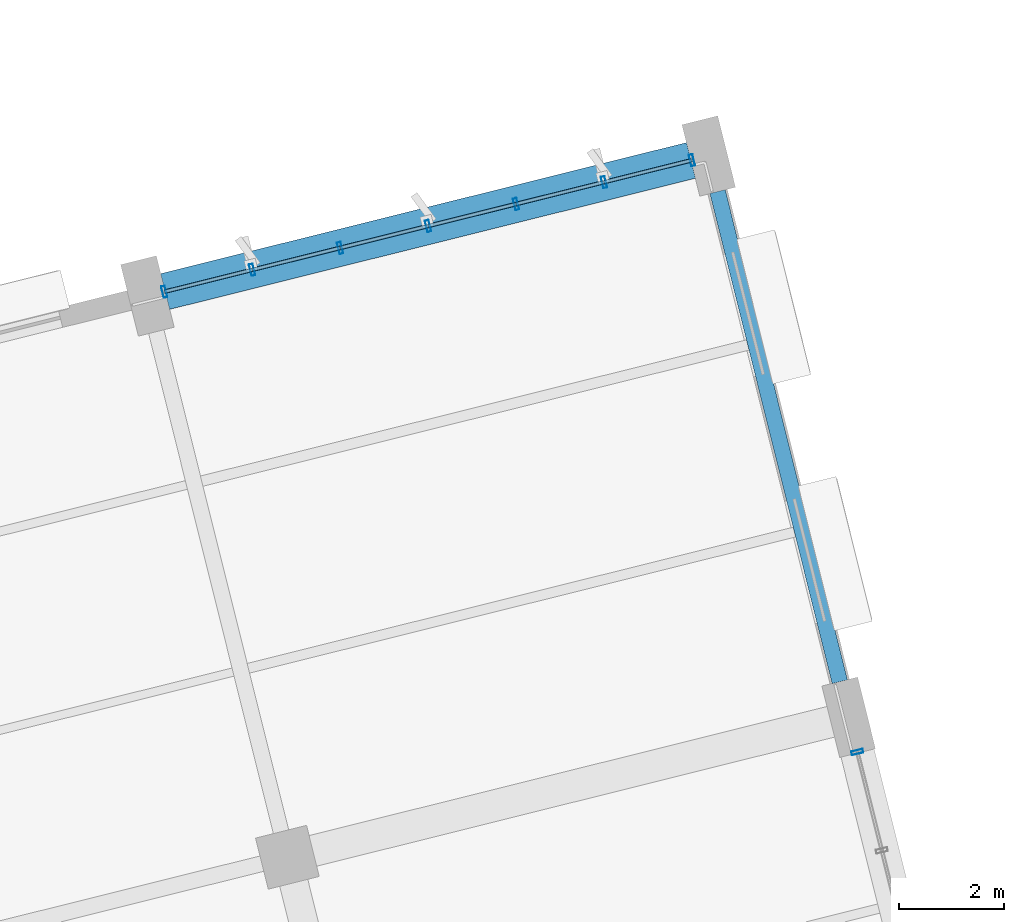
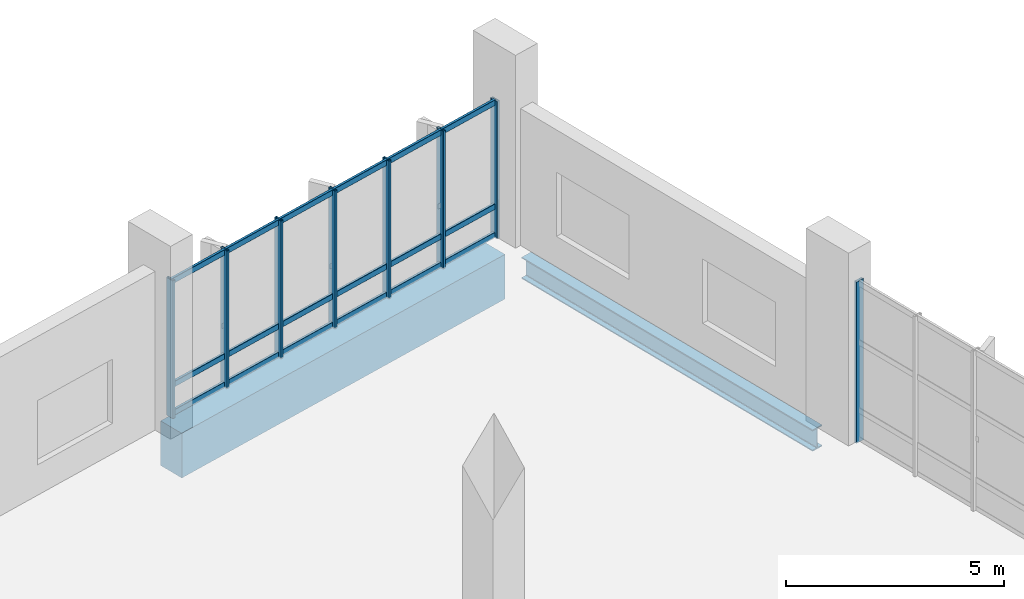
# One storey, part 98 of 176: 26 members, 2 beams, 2 elements without a shape of their own.
"""IFC4 building model written with IfcOpenShell, lengths in metres."""

from ifc_helpers import new_model, si_unit, direction, frame, origin, origin_2d, place, context, subcontext, project, spatial, rectangle, hollow_rectangle, i_section, extrude, material, layer, layer_set, material_profile, profile_set, type_object, element, aggregate, save


model = new_model("IFC4")

# Units and contexts
model_context = context("Model", 3, precision=1e-05, world=origin(), true_north=direction((0.0, 1.0)))
body_context = subcontext(model_context, "Body", "Model", "MODEL_VIEW")
ifc_project = project(units=[si_unit("LENGTHUNIT", "METRE"), si_unit("AREAUNIT", "SQUARE_METRE"), si_unit("VOLUMEUNIT", "CUBIC_METRE"), si_unit("PLANEANGLEUNIT", "RADIAN"), si_unit("MASSUNIT", "GRAM", prefix="KILO")], contexts=[model_context])

# Site, building, storey
site_placement = place(None, origin())
site = spatial("IfcSite", under=ifc_project, at=site_placement, CompositionType="ELEMENT")
building_placement = place(site_placement, origin())
building = spatial("IfcBuilding", under=site, at=building_placement, Name="Khorjan Park Terminus", CompositionType="ELEMENT")
storey_placement = place(building_placement, frame((0.0, 0.0, 6.0)))
storey = spatial("IfcBuildingStorey", under=building, at=storey_placement, Name="L01", CompositionType="ELEMENT", Elevation=6.0)

# Beams
ifc_material_1 = material(Name="Steel S355", Category="steel")
ifc_material_profile_1 = material_profile(ifc_material_1, i_section(OverallWidth=0.3, OverallDepth=0.6, WebThickness=0.0155, FlangeThickness=0.03, FilletRadius=0.027, at=origin_2d()), Name="HEB 600")
ifc_profile_set_1 = profile_set([ifc_material_profile_1], Name="Steel S355")
beam_type_1 = type_object("IfcBeamType", Name="BM-HEB600", PredefinedType="BEAM", material=ifc_profile_set_1)
beam_1_placement = place(storey_placement, frame((216.5657, 72.0075, -0.65), z_axis=(-0.241925915978, 0.970294723874, 0.0), x_axis=(-0.970294723874, -0.241925915978, 0.0)))
element("IfcBeam", 1, at=beam_1_placement, inside=storey, type_object=beam_type_1, Name="Primary skew-grid floor girder SB-B60 (L01)", PredefinedType="BEAM", context=body_context, shape_type="SweptSolid", body=[
    extrude(i_section(OverallWidth=0.3, OverallDepth=0.6, WebThickness=0.0155, FlangeThickness=0.03, FilletRadius=0.027, at=origin_2d()), origin(), (0.0, 0.0, 1.0), 9.61),
])
ifc_material_2 = material(Name="Concrete C40/50", Category="concrete")
ifc_material_profile_2 = material_profile(ifc_material_2, rectangle(XDim=0.7, YDim=1.25, at=origin_2d()), Name="RC 700x1250")
ifc_profile_set_2 = profile_set([ifc_material_profile_2], Name="Concrete C40/50")
beam_type_2 = type_object("IfcBeamType", Name="BM-RC700x1250", PredefinedType="BEAM", material=ifc_profile_set_2)
beam_2_placement = place(storey_placement, frame((203.7342, 79.4287, -0.975), z_axis=(0.970295784153, 0.241921663468, 0.0), x_axis=(-0.241921663468, 0.970295784153, 0.0)))
element("IfcBeam", 2, at=beam_2_placement, inside=storey, type_object=beam_type_2, Name="Primary skew-grid floor girder GB-125 (L01)", PredefinedType="BEAM", context=body_context, shape_type="SweptSolid", body=[
    extrude(rectangle(XDim=0.7, YDim=1.25, at=origin_2d()), origin(), (0.0, 0.0, 1.0), 10.3099),
])

# Curtain wall, member
ifc_material_3 = material(Name="Anodized Bronze Aluminium", Category="aluminium")
ifc_layer = layer(ifc_material_3, 0.22)
ifc_layer_set = layer_set([ifc_layer], Name="Anodized Bronze Aluminium")
curtain_wall_type = type_object("IfcCurtainWallType", Name="CW-OPS-B", PredefinedType="NOTDEFINED", material=ifc_layer_set)
curtain_wall_1_placement = place(storey_placement, origin())
curtain_wall_1 = element("IfcCurtainWall", 3, at=curtain_wall_1_placement, inside=storey, type_object=curtain_wall_type, Name="Unitized curtain wall CW-B (CW-V5-E-L01-B05)", PredefinedType="NOTDEFINED")
ifc_material_profile_3 = material_profile(ifc_material_3, hollow_rectangle(XDim=0.075, YDim=0.225, WallThickness=0.005, InnerFilletRadius=0.005, OuterFilletRadius=0.01, at=origin_2d()), Name="ALM 75x225x5")
ifc_profile_set_3 = profile_set([ifc_material_profile_3], Name="Anodized Bronze Aluminium")
member_type_1 = type_object("IfcMemberType", Name="ML-ALM-225", PredefinedType="MULLION", material=ifc_profile_set_3)
member_1_placement = place(storey_placement, frame((216.8983, 70.6732, -0.035), z_axis=(0.0, 0.0, 1.0), x_axis=(-0.241935125171, 0.970292427678, 0.0)))
member_1 = element("IfcMember", 4, at=member_1_placement, type_object=member_type_1, Name="Curtain-wall mullion ML-22 (CW-V5-E-L01-B05-5)", PredefinedType="MULLION", context=body_context, shape_type="SweptSolid", body=[
    extrude(hollow_rectangle(XDim=0.075, YDim=0.225, WallThickness=0.005, InnerFilletRadius=0.005, OuterFilletRadius=0.01, at=origin_2d()), origin(), (0.0, 0.0, 1.0), 4.515),
])
aggregate(curtain_wall_1, [member_1])

# Curtain wall, members
curtain_wall_2_placement = place(storey_placement, origin())
curtain_wall_2 = element("IfcCurtainWall", 5, at=curtain_wall_2_placement, inside=storey, type_object=curtain_wall_type, Name="Unitized curtain wall CW-B (CW-V5-N-L01-B01)", PredefinedType="NOTDEFINED")
member_2_placement = place(storey_placement, frame((213.7527, 81.9266, -0.035), z_axis=(0.0, 0.0, 1.0), x_axis=(-0.970294194364, -0.241928039679, 0.0)))
member_2 = element("IfcMember", 6, at=member_2_placement, type_object=member_type_1, Name="Curtain-wall mullion ML-22 (CW-V5-N-L01-B01-0)", PredefinedType="MULLION", context=body_context, shape_type="SweptSolid", body=[
    extrude(hollow_rectangle(XDim=0.075, YDim=0.225, WallThickness=0.005, InnerFilletRadius=0.005, OuterFilletRadius=0.01, at=origin_2d()), origin(), (0.0, 0.0, 1.0), 3.855),
])
member_3_placement = place(storey_placement, frame((212.0805, 81.5096, -0.035), z_axis=(0.0, 0.0, 1.0), x_axis=(-0.970294194364, -0.241928039679, 0.0)))
member_3 = element("IfcMember", 7, at=member_3_placement, type_object=member_type_1, Name="Curtain-wall mullion ML-22 (CW-V5-N-L01-B01-1)", PredefinedType="MULLION", context=body_context, shape_type="SweptSolid", body=[
    extrude(hollow_rectangle(XDim=0.075, YDim=0.225, WallThickness=0.005, InnerFilletRadius=0.005, OuterFilletRadius=0.01, at=origin_2d()), origin(), (0.0, 0.0, 1.0), 3.855),
])
member_4_placement = place(storey_placement, frame((210.4082, 81.0927, -0.035), z_axis=(0.0, 0.0, 1.0), x_axis=(-0.970294194364, -0.241928039679, 0.0)))
member_4 = element("IfcMember", 8, at=member_4_placement, type_object=member_type_1, Name="Curtain-wall mullion ML-22 (CW-V5-N-L01-B01-2)", PredefinedType="MULLION", context=body_context, shape_type="SweptSolid", body=[
    extrude(hollow_rectangle(XDim=0.075, YDim=0.225, WallThickness=0.005, InnerFilletRadius=0.005, OuterFilletRadius=0.01, at=origin_2d()), origin(), (0.0, 0.0, 1.0), 3.855),
])
member_5_placement = place(storey_placement, frame((208.736, 80.6757, -0.035), z_axis=(0.0, 0.0, 1.0), x_axis=(-0.970294194364, -0.241928039679, 0.0)))
member_5 = element("IfcMember", 9, at=member_5_placement, type_object=member_type_1, Name="Curtain-wall mullion ML-22 (CW-V5-N-L01-B01-3)", PredefinedType="MULLION", context=body_context, shape_type="SweptSolid", body=[
    extrude(hollow_rectangle(XDim=0.075, YDim=0.225, WallThickness=0.005, InnerFilletRadius=0.005, OuterFilletRadius=0.01, at=origin_2d()), origin(), (0.0, 0.0, 1.0), 3.855),
])
member_6_placement = place(storey_placement, frame((207.0637, 80.2588, -0.035), z_axis=(0.0, 0.0, 1.0), x_axis=(-0.970294194364, -0.241928039679, 0.0)))
member_6 = element("IfcMember", 10, at=member_6_placement, type_object=member_type_1, Name="Curtain-wall mullion ML-22 (CW-V5-N-L01-B01-4)", PredefinedType="MULLION", context=body_context, shape_type="SweptSolid", body=[
    extrude(hollow_rectangle(XDim=0.075, YDim=0.225, WallThickness=0.005, InnerFilletRadius=0.005, OuterFilletRadius=0.01, at=origin_2d()), origin(), (0.0, 0.0, 1.0), 3.855),
])
member_7_placement = place(storey_placement, frame((205.3914, 79.8418, -0.035), z_axis=(0.0, 0.0, 1.0), x_axis=(-0.970294194364, -0.241928039679, 0.0)))
member_7 = element("IfcMember", 11, at=member_7_placement, type_object=member_type_1, Name="Curtain-wall mullion ML-22 (CW-V5-N-L01-B01-5)", PredefinedType="MULLION", context=body_context, shape_type="SweptSolid", body=[
    extrude(hollow_rectangle(XDim=0.075, YDim=0.225, WallThickness=0.005, InnerFilletRadius=0.005, OuterFilletRadius=0.01, at=origin_2d()), origin(), (0.0, 0.0, 1.0), 3.855),
])
member_8_placement = place(storey_placement, frame((203.7192, 79.4249, -0.035), z_axis=(0.0, 0.0, 1.0), x_axis=(-0.970294194364, -0.241928039679, 0.0)))
member_8 = element("IfcMember", 12, at=member_8_placement, type_object=member_type_1, Name="Curtain-wall mullion ML-22 (CW-V5-N-L01-B01-6)", PredefinedType="MULLION", context=body_context, shape_type="SweptSolid", body=[
    extrude(hollow_rectangle(XDim=0.075, YDim=0.225, WallThickness=0.005, InnerFilletRadius=0.005, OuterFilletRadius=0.01, at=origin_2d()), origin(), (0.0, 0.0, 1.0), 3.855),
])
ifc_material_profile_4 = material_profile(ifc_material_3, hollow_rectangle(XDim=0.07, YDim=0.16, WallThickness=0.004, InnerFilletRadius=0.004, OuterFilletRadius=0.008, at=origin_2d()), Name="ALT 70x160x4")
ifc_profile_set_4 = profile_set([ifc_material_profile_4], Name="Anodized Bronze Aluminium")
member_type_2 = type_object("IfcMemberType", Name="TR-ALT-160", PredefinedType="USERDEFINED", material=ifc_profile_set_4)
member_9_placement = place(storey_placement, frame((213.7527, 81.9266, 0.04), z_axis=(-0.970285685328, -0.241962164084, 0.0), x_axis=(0.241962164084, -0.970285685328, 0.0)))
member_9 = element("IfcMember", 13, at=member_9_placement, type_object=member_type_2, Name="Curtain-wall transom TR-16 (CW-V5-N-L01-B01-0-1)", ObjectType="TRANSOM", PredefinedType="USERDEFINED", context=body_context, shape_type="SweptSolid", body=[
    extrude(hollow_rectangle(XDim=0.07, YDim=0.16, WallThickness=0.004, InnerFilletRadius=0.004, OuterFilletRadius=0.008, at=origin_2d()), origin(), (0.0, 0.0, 1.0), 1.7234),
])
member_10_placement = place(storey_placement, frame((213.7527, 81.9266, 0.833), z_axis=(-0.970285685328, -0.241962164084, 0.0), x_axis=(0.241962164084, -0.970285685328, 0.0)))
member_10 = element("IfcMember", 14, at=member_10_placement, type_object=member_type_2, Name="Curtain-wall transom TR-16 (CW-V5-N-L01-B01-0-2)", ObjectType="TRANSOM", PredefinedType="USERDEFINED", context=body_context, shape_type="SweptSolid", body=[
    extrude(hollow_rectangle(XDim=0.07, YDim=0.16, WallThickness=0.004, InnerFilletRadius=0.004, OuterFilletRadius=0.008, at=origin_2d()), origin(), (0.0, 0.0, 1.0), 1.7234),
])
member_11_placement = place(storey_placement, frame((213.7527, 81.9266, 3.745), z_axis=(-0.970285685328, -0.241962164084, 0.0), x_axis=(0.241962164084, -0.970285685328, 0.0)))
member_11 = element("IfcMember", 15, at=member_11_placement, type_object=member_type_2, Name="Curtain-wall transom TR-16 (CW-V5-N-L01-B01-0-3)", ObjectType="TRANSOM", PredefinedType="USERDEFINED", context=body_context, shape_type="SweptSolid", body=[
    extrude(hollow_rectangle(XDim=0.07, YDim=0.16, WallThickness=0.004, InnerFilletRadius=0.004, OuterFilletRadius=0.008, at=origin_2d()), origin(), (0.0, 0.0, 1.0), 1.7234),
])
member_12_placement = place(storey_placement, frame((212.0805, 81.5096, 0.04), z_axis=(-0.970302701845, -0.241893916402, 0.0), x_axis=(0.241893916402, -0.970302701845, 0.0)))
member_12 = element("IfcMember", 16, at=member_12_placement, type_object=member_type_2, Name="Curtain-wall transom TR-16 (CW-V5-N-L01-B01-1-1)", ObjectType="TRANSOM", PredefinedType="USERDEFINED", context=body_context, shape_type="SweptSolid", body=[
    extrude(hollow_rectangle(XDim=0.07, YDim=0.16, WallThickness=0.004, InnerFilletRadius=0.004, OuterFilletRadius=0.008, at=origin_2d()), origin(), (0.0, 0.0, 1.0), 1.7235),
])
member_13_placement = place(storey_placement, frame((212.0805, 81.5096, 0.833), z_axis=(-0.970302701845, -0.241893916402, 0.0), x_axis=(0.241893916402, -0.970302701845, 0.0)))
member_13 = element("IfcMember", 17, at=member_13_placement, type_object=member_type_2, Name="Curtain-wall transom TR-16 (CW-V5-N-L01-B01-1-2)", ObjectType="TRANSOM", PredefinedType="USERDEFINED", context=body_context, shape_type="SweptSolid", body=[
    extrude(hollow_rectangle(XDim=0.07, YDim=0.16, WallThickness=0.004, InnerFilletRadius=0.004, OuterFilletRadius=0.008, at=origin_2d()), origin(), (0.0, 0.0, 1.0), 1.7235),
])
member_14_placement = place(storey_placement, frame((212.0805, 81.5096, 3.745), z_axis=(-0.970302701845, -0.241893916402, 0.0), x_axis=(0.241893916402, -0.970302701845, 0.0)))
member_14 = element("IfcMember", 18, at=member_14_placement, type_object=member_type_2, Name="Curtain-wall transom TR-16 (CW-V5-N-L01-B01-1-3)", ObjectType="TRANSOM", PredefinedType="USERDEFINED", context=body_context, shape_type="SweptSolid", body=[
    extrude(hollow_rectangle(XDim=0.07, YDim=0.16, WallThickness=0.004, InnerFilletRadius=0.004, OuterFilletRadius=0.008, at=origin_2d()), origin(), (0.0, 0.0, 1.0), 1.7235),
])
member_15_placement = place(storey_placement, frame((210.4082, 81.0927, 0.04), z_axis=(-0.970285685328, -0.241962164084, 0.0), x_axis=(0.241962164084, -0.970285685328, 0.0)))
member_15 = element("IfcMember", 19, at=member_15_placement, type_object=member_type_2, Name="Curtain-wall transom TR-16 (CW-V5-N-L01-B01-2-1)", ObjectType="TRANSOM", PredefinedType="USERDEFINED", context=body_context, shape_type="SweptSolid", body=[
    extrude(hollow_rectangle(XDim=0.07, YDim=0.16, WallThickness=0.004, InnerFilletRadius=0.004, OuterFilletRadius=0.008, at=origin_2d()), origin(), (0.0, 0.0, 1.0), 1.7234),
])
member_16_placement = place(storey_placement, frame((210.4082, 81.0927, 0.833), z_axis=(-0.970285685328, -0.241962164084, 0.0), x_axis=(0.241962164084, -0.970285685328, 0.0)))
member_16 = element("IfcMember", 20, at=member_16_placement, type_object=member_type_2, Name="Curtain-wall transom TR-16 (CW-V5-N-L01-B01-2-2)", ObjectType="TRANSOM", PredefinedType="USERDEFINED", context=body_context, shape_type="SweptSolid", body=[
    extrude(hollow_rectangle(XDim=0.07, YDim=0.16, WallThickness=0.004, InnerFilletRadius=0.004, OuterFilletRadius=0.008, at=origin_2d()), origin(), (0.0, 0.0, 1.0), 1.7234),
])
member_17_placement = place(storey_placement, frame((210.4082, 81.0927, 3.745), z_axis=(-0.970285685328, -0.241962164084, 0.0), x_axis=(0.241962164084, -0.970285685328, 0.0)))
member_17 = element("IfcMember", 21, at=member_17_placement, type_object=member_type_2, Name="Curtain-wall transom TR-16 (CW-V5-N-L01-B01-2-3)", ObjectType="TRANSOM", PredefinedType="USERDEFINED", context=body_context, shape_type="SweptSolid", body=[
    extrude(hollow_rectangle(XDim=0.07, YDim=0.16, WallThickness=0.004, InnerFilletRadius=0.004, OuterFilletRadius=0.008, at=origin_2d()), origin(), (0.0, 0.0, 1.0), 1.7234),
])
member_18_placement = place(storey_placement, frame((208.736, 80.6757, 0.04), z_axis=(-0.970302701845, -0.241893916402, 0.0), x_axis=(0.241893916402, -0.970302701845, 0.0)))
member_18 = element("IfcMember", 22, at=member_18_placement, type_object=member_type_2, Name="Curtain-wall transom TR-16 (CW-V5-N-L01-B01-3-1)", ObjectType="TRANSOM", PredefinedType="USERDEFINED", context=body_context, shape_type="SweptSolid", body=[
    extrude(hollow_rectangle(XDim=0.07, YDim=0.16, WallThickness=0.004, InnerFilletRadius=0.004, OuterFilletRadius=0.008, at=origin_2d()), origin(), (0.0, 0.0, 1.0), 1.7235),
])
member_19_placement = place(storey_placement, frame((208.736, 80.6757, 0.833), z_axis=(-0.970302701845, -0.241893916402, 0.0), x_axis=(0.241893916402, -0.970302701845, 0.0)))
member_19 = element("IfcMember", 23, at=member_19_placement, type_object=member_type_2, Name="Curtain-wall transom TR-16 (CW-V5-N-L01-B01-3-2)", ObjectType="TRANSOM", PredefinedType="USERDEFINED", context=body_context, shape_type="SweptSolid", body=[
    extrude(hollow_rectangle(XDim=0.07, YDim=0.16, WallThickness=0.004, InnerFilletRadius=0.004, OuterFilletRadius=0.008, at=origin_2d()), origin(), (0.0, 0.0, 1.0), 1.7235),
])
member_20_placement = place(storey_placement, frame((208.736, 80.6757, 3.745), z_axis=(-0.970302701845, -0.241893916402, 0.0), x_axis=(0.241893916402, -0.970302701845, 0.0)))
member_20 = element("IfcMember", 24, at=member_20_placement, type_object=member_type_2, Name="Curtain-wall transom TR-16 (CW-V5-N-L01-B01-3-3)", ObjectType="TRANSOM", PredefinedType="USERDEFINED", context=body_context, shape_type="SweptSolid", body=[
    extrude(hollow_rectangle(XDim=0.07, YDim=0.16, WallThickness=0.004, InnerFilletRadius=0.004, OuterFilletRadius=0.008, at=origin_2d()), origin(), (0.0, 0.0, 1.0), 1.7235),
])
member_21_placement = place(storey_placement, frame((207.0637, 80.2588, 0.04), z_axis=(-0.970289082125, -0.241948542275, 0.0), x_axis=(0.241948542275, -0.970289082125, 0.0)))
member_21 = element("IfcMember", 25, at=member_21_placement, type_object=member_type_2, Name="Curtain-wall transom TR-16 (CW-V5-N-L01-B01-4-1)", ObjectType="TRANSOM", PredefinedType="USERDEFINED", context=body_context, shape_type="SweptSolid", body=[
    extrude(hollow_rectangle(XDim=0.07, YDim=0.16, WallThickness=0.004, InnerFilletRadius=0.004, OuterFilletRadius=0.008, at=origin_2d()), origin(), (0.0, 0.0, 1.0), 1.7235),
])
member_22_placement = place(storey_placement, frame((207.0637, 80.2588, 0.833), z_axis=(-0.970289082125, -0.241948542275, 0.0), x_axis=(0.241948542275, -0.970289082125, 0.0)))
member_22 = element("IfcMember", 26, at=member_22_placement, type_object=member_type_2, Name="Curtain-wall transom TR-16 (CW-V5-N-L01-B01-4-2)", ObjectType="TRANSOM", PredefinedType="USERDEFINED", context=body_context, shape_type="SweptSolid", body=[
    extrude(hollow_rectangle(XDim=0.07, YDim=0.16, WallThickness=0.004, InnerFilletRadius=0.004, OuterFilletRadius=0.008, at=origin_2d()), origin(), (0.0, 0.0, 1.0), 1.7235),
])
member_23_placement = place(storey_placement, frame((207.0637, 80.2588, 3.745), z_axis=(-0.970289082125, -0.241948542275, 0.0), x_axis=(0.241948542275, -0.970289082125, 0.0)))
member_23 = element("IfcMember", 27, at=member_23_placement, type_object=member_type_2, Name="Curtain-wall transom TR-16 (CW-V5-N-L01-B01-4-3)", ObjectType="TRANSOM", PredefinedType="USERDEFINED", context=body_context, shape_type="SweptSolid", body=[
    extrude(hollow_rectangle(XDim=0.07, YDim=0.16, WallThickness=0.004, InnerFilletRadius=0.004, OuterFilletRadius=0.008, at=origin_2d()), origin(), (0.0, 0.0, 1.0), 1.7235),
])
member_24_placement = place(storey_placement, frame((205.3914, 79.8418, 0.04), z_axis=(-0.970299306534, -0.241907535518, 0.0), x_axis=(0.241907535518, -0.970299306534, 0.0)))
member_24 = element("IfcMember", 28, at=member_24_placement, type_object=member_type_2, Name="Curtain-wall transom TR-16 (CW-V5-N-L01-B01-5-1)", ObjectType="TRANSOM", PredefinedType="USERDEFINED", context=body_context, shape_type="SweptSolid", body=[
    extrude(hollow_rectangle(XDim=0.07, YDim=0.16, WallThickness=0.004, InnerFilletRadius=0.004, OuterFilletRadius=0.008, at=origin_2d()), origin(), (0.0, 0.0, 1.0), 1.7234),
])
member_25_placement = place(storey_placement, frame((205.3914, 79.8418, 0.833), z_axis=(-0.970299306534, -0.241907535518, 0.0), x_axis=(0.241907535518, -0.970299306534, 0.0)))
member_25 = element("IfcMember", 29, at=member_25_placement, type_object=member_type_2, Name="Curtain-wall transom TR-16 (CW-V5-N-L01-B01-5-2)", ObjectType="TRANSOM", PredefinedType="USERDEFINED", context=body_context, shape_type="SweptSolid", body=[
    extrude(hollow_rectangle(XDim=0.07, YDim=0.16, WallThickness=0.004, InnerFilletRadius=0.004, OuterFilletRadius=0.008, at=origin_2d()), origin(), (0.0, 0.0, 1.0), 1.7234),
])
member_26_placement = place(storey_placement, frame((205.3914, 79.8418, 3.745), z_axis=(-0.970299306534, -0.241907535518, 0.0), x_axis=(0.241907535518, -0.970299306534, 0.0)))
member_26 = element("IfcMember", 30, at=member_26_placement, type_object=member_type_2, Name="Curtain-wall transom TR-16 (CW-V5-N-L01-B01-5-3)", ObjectType="TRANSOM", PredefinedType="USERDEFINED", context=body_context, shape_type="SweptSolid", body=[
    extrude(hollow_rectangle(XDim=0.07, YDim=0.16, WallThickness=0.004, InnerFilletRadius=0.004, OuterFilletRadius=0.008, at=origin_2d()), origin(), (0.0, 0.0, 1.0), 1.7234),
])
aggregate(curtain_wall_2, [member_2, member_3, member_4, member_5, member_6, member_7, member_8, member_9, member_10, member_11, member_12, member_13, member_14, member_15, member_16, member_17, member_18, member_19, member_20, member_21, member_22, member_23, member_24, member_25, member_26])

save(model, "model.ifc")
